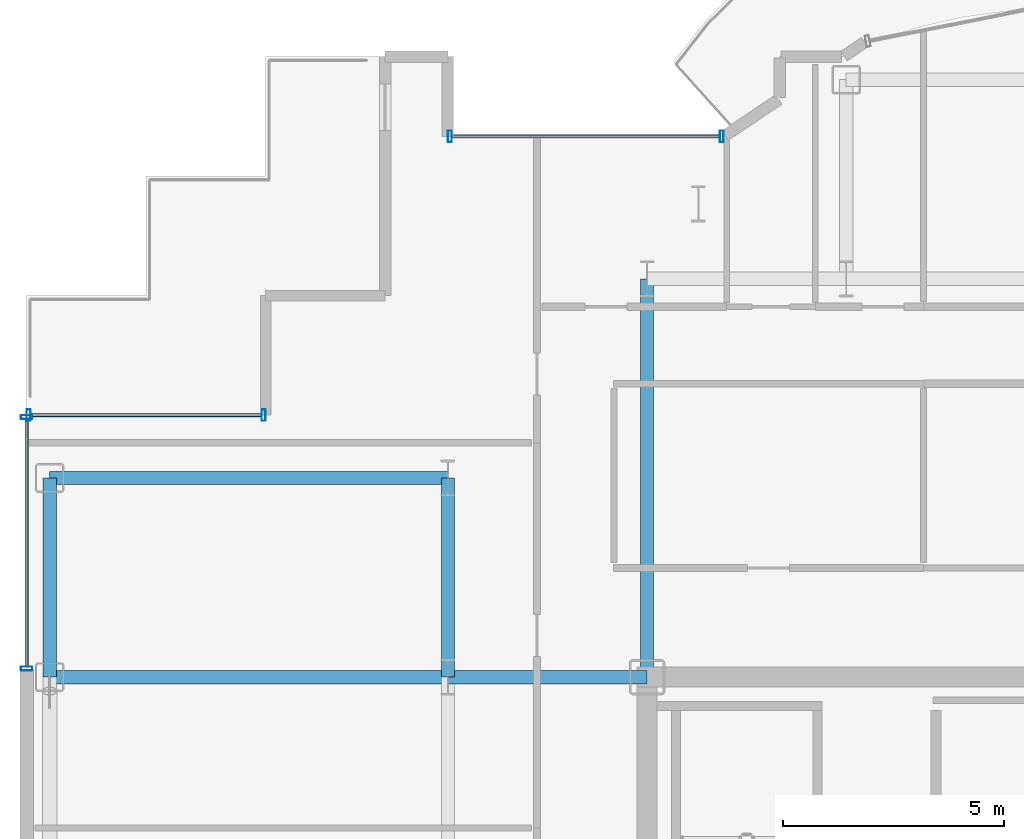
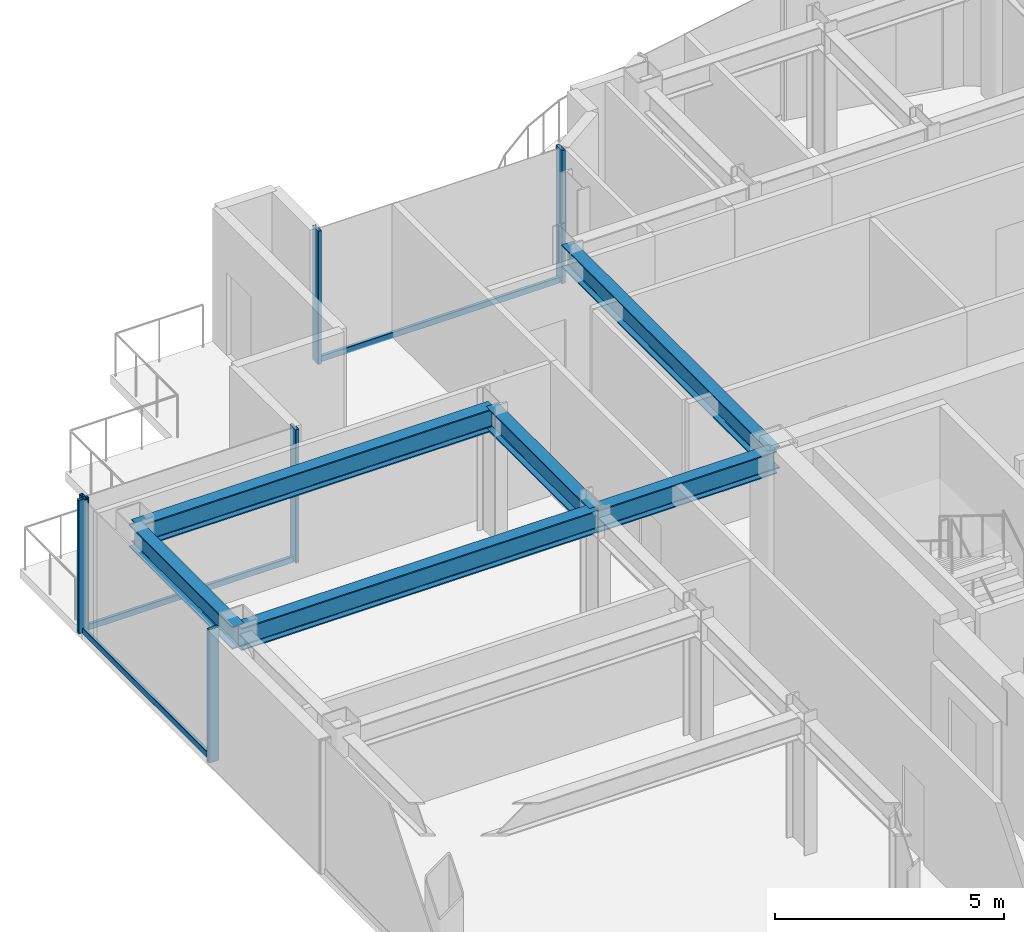
# One storey, part 9 of 22: 9 members, 6 beams, 3 elements without a shape of their own.
"""IFC4 building model written with IfcOpenShell, lengths in metres."""

from ifc_helpers import new_model, si_unit, direction, frame, origin, origin_2d, place, context, subcontext, project, spatial, hollow_rectangle, i_section, extrude, source, transform, mapped, material, layer, layer_set, material_profile, profile_set, type_object, element, aggregate, save


model = new_model("IFC4")

# Units and contexts
model_context = context("Model", 3, precision=1e-05, world=origin(), true_north=direction((0.0, 1.0)))
body_context = subcontext(model_context, "Body", "Model", "MODEL_VIEW")
ifc_project = project(units=[si_unit("LENGTHUNIT", "METRE"), si_unit("AREAUNIT", "SQUARE_METRE"), si_unit("VOLUMEUNIT", "CUBIC_METRE"), si_unit("PLANEANGLEUNIT", "RADIAN"), si_unit("MASSUNIT", "GRAM", prefix="KILO")], contexts=[model_context])

# Site, building, storey
site_placement = place(None, origin())
site = spatial("IfcSite", under=ifc_project, at=site_placement, CompositionType="ELEMENT")
building_placement = place(site_placement, origin())
building = spatial("IfcBuilding", under=site, at=building_placement, Name="Nefas-Gora Pilgrimage Tower", CompositionType="ELEMENT")
storey_placement = place(building_placement, frame((0.0, 0.0, 240.800048828125)))
storey = spatial("IfcBuildingStorey", under=building, at=storey_placement, Name="L60", CompositionType="ELEMENT", Elevation=240.800048828125)

# Beams
ifc_material_1 = material(Name="Steel S355", Category="steel")
ifc_material_profile_1 = material_profile(ifc_material_1, i_section(OverallWidth=0.300048828125, OverallDepth=0.60009765625, WebThickness=0.015380859375, FlangeThickness=0.030029296875, FilletRadius=0.027099609375, at=origin_2d()), Name="HEB 600")
ifc_profile_set_1 = profile_set([ifc_material_profile_1], Name="Steel S355")
beam_type_1 = type_object("IfcBeamType", Name="BM-SPN-HEB450", PredefinedType="SPANDREL", material=ifc_profile_set_1)
shared_shape_1 = source(origin(), body_context, "Body", "SweptSolid", [
    extrude(i_section(OverallWidth=0.300048828125, OverallDepth=0.60009765625, WebThickness=0.015380859375, FlangeThickness=0.030029296875, FilletRadius=0.027099609375, at=origin_2d()), origin(), (0.0, 0.0, 1.0), 4.5),
])
beam_placement = place(storey_placement, frame((-24.75, 9.0, 3.25), z_axis=(0.0, 1.0, 0.0), x_axis=(-1.0, 0.0, 0.0)))
element("IfcBeam", 1, at=beam_placement, inside=storey, type_object=beam_type_1, Name="L60 SP-03 beam", PredefinedType="SPANDREL", context=body_context, shape_type="MappedRepresentation", body=[
    mapped(shared_shape_1, transform((0.0, 0.0, 0.0), x_axis=(1.0, 0.0, 0.0), y_axis=(0.0, 1.0, 0.0), z_axis=(0.0, 0.0, 1.0), scale=1.0)),
])
ifc_material_profile_2 = material_profile(ifc_material_1, i_section(OverallWidth=0.300048828125, OverallDepth=0.60009765625, WebThickness=0.015380859375, FlangeThickness=0.030029296875, FilletRadius=0.027099609375, at=origin_2d()), Name="HEB 600")
ifc_profile_set_2 = profile_set([ifc_material_profile_2], Name="Steel S355")
beam_type_2 = type_object("IfcBeamType", Name="BM-GIR-HEB600", PredefinedType="BEAM", material=ifc_profile_set_2)
shared_shape_2 = source(origin(), body_context, "Body", "SweptSolid", [
    extrude(i_section(OverallWidth=0.300048828125, OverallDepth=0.60009765625, WebThickness=0.015380859375, FlangeThickness=0.030029296875, FilletRadius=0.027099609375, at=origin_2d()), origin(), (0.0, 0.0, 1.0), 9.0),
])
for number, where, z_axis, x_axis, name in (
    (2, (-24.75, 9.0, 3.25), (1.0, 0.0, 0.0), (0.0, 1.0, 0.0), "L60 G-04 beam"),
    (3, (-24.75, 13.5, 3.25), (1.0, 0.0, 0.0), (0.0, 1.0, 0.0), "L60 G-04 beam"),
    (4, (-11.25, 9.0, 3.25), (0.0, 1.0, 0.0), (-1.0, 0.0, 0.0), "L60 G-04 beam"),
):
    element("IfcBeam", number, at=place(storey_placement, frame(where, z_axis=z_axis, x_axis=x_axis)), inside=storey, type_object=beam_type_2, Name=name, PredefinedType="BEAM", context=body_context, shape_type="MappedRepresentation", body=[
        mapped(shared_shape_2, transform((0.0, 0.0, 0.0), x_axis=(1.0, 0.0, 0.0), y_axis=(0.0, 1.0, 0.0), z_axis=(0.0, 0.0, 1.0), scale=1.0)),
    ])
shared_shape_3 = source(origin(), body_context, "Body", "SweptSolid", [
    extrude(i_section(OverallWidth=0.300048828125, OverallDepth=0.60009765625, WebThickness=0.015380859375, FlangeThickness=0.030029296875, FilletRadius=0.027099609375, at=origin_2d()), origin(), (0.0, 0.0, 1.0), 4.5),
])
for number, where, z_axis, x_axis, name in (
    (5, (-15.75, 9.0, 3.25), (0.0, 1.0, 0.0), (-1.0, 0.0, 0.0), "L60 G-04 beam"),
    (6, (-15.75, 9.0, 3.25), (1.0, 0.0, 0.0), (0.0, 1.0, 0.0), "L60 G-04 beam"),
):
    element("IfcBeam", number, at=place(storey_placement, frame(where, z_axis=z_axis, x_axis=x_axis)), inside=storey, type_object=beam_type_2, Name=name, PredefinedType="BEAM", context=body_context, shape_type="MappedRepresentation", body=[
        mapped(shared_shape_3, transform((0.0, 0.0, 0.0), x_axis=(1.0, 0.0, 0.0), y_axis=(0.0, 1.0, 0.0), z_axis=(0.0, 0.0, 1.0), scale=1.0)),
    ])

# Curtain wall, members
ifc_material_2 = material(Name="Dark ceramic-fritted solar-control aluminium-glass curtain wall", Category="aluminium")
ifc_layer_1 = layer(ifc_material_2, 0.219970703125)
ifc_layer_set_1 = layer_set([ifc_layer_1], Name="Dark ceramic-fritted solar-control aluminium-glass curtain wall")
curtain_wall_type_1 = type_object("IfcCurtainWallType", Name="CW-SYS-5", PredefinedType="NOTDEFINED", material=ifc_layer_set_1)
curtain_wall_1_placement = place(storey_placement, origin())
curtain_wall_1 = element("IfcCurtainWall", 7, at=curtain_wall_1_placement, inside=storey, type_object=curtain_wall_type_1, Name="L60 Unitised Curtain Wall CW5", PredefinedType="NOTDEFINED")
ifc_material_3 = material(Name="Anodised architectural aluminium", Category="aluminium")
ifc_material_profile_3 = material_profile(ifc_material_3, hollow_rectangle(XDim=0.090087890625, YDim=0.260009765625, WallThickness=0.006103515625, InnerFilletRadius=0.006103515625, OuterFilletRadius=0.011962890625, at=origin_2d()), Name="ALU MULLION 90x260")
ifc_profile_set_3 = profile_set([ifc_material_profile_3], Name="Anodised architectural aluminium")
member_type_1 = type_object("IfcMemberType", Name="CWM-MUL-5", PredefinedType="MULLION", material=ifc_profile_set_3)
shared_shape_4 = source(origin(), body_context, "Body", "SweptSolid", [
    extrude(hollow_rectangle(XDim=0.090087890625, YDim=0.260009765625, WallThickness=0.006103515625, InnerFilletRadius=0.006103515625, OuterFilletRadius=0.011962890625, at=origin_2d()), origin(), (0.0, 0.0, 1.0), 3.550048828125),
])
member_1_placement = place(storey_placement, frame((-9.56298828125, 21.219970703125, 0.0), z_axis=(0.0, 0.0, 1.0), x_axis=(-1.0, 0.0, 0.0)))
member_1 = element("IfcMember", 8, at=member_1_placement, type_object=member_type_1, Name="CW5 Mullion 1", PredefinedType="MULLION", context=body_context, shape_type="MappedRepresentation", body=[
    mapped(shared_shape_4, transform((0.0, 0.0, 0.0), x_axis=(1.0, 0.0, 0.0), y_axis=(0.0, 1.0, 0.0), z_axis=(0.0, 0.0, 1.0), scale=1.0)),
])
member_2_placement = place(storey_placement, frame((-15.705078125, 21.219970703125, 0.0), z_axis=(0.0, 0.0, 1.0), x_axis=(-1.0, 0.0, 0.0)))
member_2 = element("IfcMember", 9, at=member_2_placement, type_object=member_type_1, Name="CW5 Mullion 2", PredefinedType="MULLION", context=body_context, shape_type="MappedRepresentation", body=[
    mapped(shared_shape_4, transform((0.0, 0.0, 0.0), x_axis=(1.0, 0.0, 0.0), y_axis=(0.0, 1.0, 0.0), z_axis=(0.0, 0.0, 1.0), scale=1.0)),
])
ifc_material_profile_4 = material_profile(ifc_material_3, hollow_rectangle(XDim=0.080078125, YDim=0.159912109375, WallThickness=0.00439453125, InnerFilletRadius=0.00439453125, OuterFilletRadius=0.009033203125, at=origin_2d()), Name="ALU TRANSOM 80x160")
ifc_profile_set_4 = profile_set([ifc_material_profile_4], Name="Anodised architectural aluminium")
member_type_2 = type_object("IfcMemberType", Name="CWM-TRN-5", PredefinedType="USERDEFINED", material=ifc_profile_set_4)
shared_shape_5 = source(origin(), body_context, "Body", "SweptSolid", [
    extrude(hollow_rectangle(XDim=0.080078125, YDim=0.159912109375, WallThickness=0.00439453125, InnerFilletRadius=0.00439453125, OuterFilletRadius=0.009033203125, at=origin_2d()), origin(), (0.0, 0.0, 1.0), 6.052001953125),
])
member_3_placement = place(storey_placement, frame((-9.60791015625, 21.219970703125, 0.050048828125), z_axis=(-1.0, 0.0, 0.0), x_axis=(0.0, -1.0, 0.0)))
member_3 = element("IfcMember", 10, at=member_3_placement, type_object=member_type_2, Name="CW5 Spandrel Transom", ObjectType="TRANSOM", PredefinedType="USERDEFINED", context=body_context, shape_type="MappedRepresentation", body=[
    mapped(shared_shape_5, transform((0.0, 0.0, 0.0), x_axis=(1.0, 0.0, 0.0), y_axis=(0.0, 1.0, 0.0), z_axis=(0.0, 0.0, 1.0), scale=1.0)),
])
aggregate(curtain_wall_1, [member_1, member_2, member_3])

ifc_layer_2 = layer(ifc_material_2, 0.219970703125)
ifc_layer_set_2 = layer_set([ifc_layer_2], Name="Dark ceramic-fritted solar-control aluminium-glass curtain wall")
curtain_wall_type_2 = type_object("IfcCurtainWallType", Name="CW-SYS-3", PredefinedType="NOTDEFINED", material=ifc_layer_set_2)
curtain_wall_2_placement = place(storey_placement, origin())
curtain_wall_2 = element("IfcCurtainWall", 11, at=curtain_wall_2_placement, inside=storey, type_object=curtain_wall_type_2, Name="L60 Unitised Curtain Wall CW3", PredefinedType="NOTDEFINED")
ifc_material_profile_5 = material_profile(ifc_material_3, hollow_rectangle(XDim=0.090087890625, YDim=0.260009765625, WallThickness=0.006103515625, InnerFilletRadius=0.006103515625, OuterFilletRadius=0.011962890625, at=origin_2d()), Name="ALU MULLION 90x260")
ifc_profile_set_5 = profile_set([ifc_material_profile_5], Name="Anodised architectural aluminium")
member_type_3 = type_object("IfcMemberType", Name="CWM-MUL-3", PredefinedType="MULLION", material=ifc_profile_set_5)
shared_shape_6 = source(origin(), body_context, "Body", "SweptSolid", [
    extrude(hollow_rectangle(XDim=0.090087890625, YDim=0.260009765625, WallThickness=0.006103515625, InnerFilletRadius=0.006103515625, OuterFilletRadius=0.011962890625, at=origin_2d()), origin(), (0.0, 0.0, 1.0), 3.550048828125),
])
member_4_placement = place(storey_placement, frame((-19.9150390625, 14.919921875, 0.0), z_axis=(0.0, 0.0, 1.0), x_axis=(-1.0, 0.0, 0.0)))
member_4 = element("IfcMember", 12, at=member_4_placement, type_object=member_type_3, Name="CW3 Mullion 1", PredefinedType="MULLION", context=body_context, shape_type="MappedRepresentation", body=[
    mapped(shared_shape_6, transform((0.0, 0.0, 0.0), x_axis=(1.0, 0.0, 0.0), y_axis=(0.0, 1.0, 0.0), z_axis=(0.0, 0.0, 1.0), scale=1.0)),
])
member_5_placement = place(storey_placement, frame((-25.22509765625, 14.919921875, 0.0), z_axis=(0.0, 0.0, 1.0), x_axis=(-1.0, 0.0, 0.0)))
member_5 = element("IfcMember", 13, at=member_5_placement, type_object=member_type_3, Name="CW3 Mullion 2", PredefinedType="MULLION", context=body_context, shape_type="MappedRepresentation", body=[
    mapped(shared_shape_6, transform((0.0, 0.0, 0.0), x_axis=(1.0, 0.0, 0.0), y_axis=(0.0, 1.0, 0.0), z_axis=(0.0, 0.0, 1.0), scale=1.0)),
])

curtain_wall_3_placement = place(storey_placement, origin())
curtain_wall_3 = element("IfcCurtainWall", 14, at=curtain_wall_3_placement, inside=storey, type_object=curtain_wall_type_2, Name="L60 Unitised Curtain Wall CW3", PredefinedType="NOTDEFINED")
member_6_placement = place(storey_placement, frame((-25.27001953125, 14.875, 0.0), z_axis=(0.0, 0.0, 1.0), x_axis=(0.0, -1.0, 0.0)))
member_6 = element("IfcMember", 15, at=member_6_placement, type_object=member_type_3, Name="CW3 Mullion 1", PredefinedType="MULLION", context=body_context, shape_type="MappedRepresentation", body=[
    mapped(shared_shape_6, transform((0.0, 0.0, 0.0), x_axis=(1.0, 0.0, 0.0), y_axis=(0.0, 1.0, 0.0), z_axis=(0.0, 0.0, 1.0), scale=1.0)),
])
member_7_placement = place(storey_placement, frame((-25.27001953125, 9.195068359375, 0.0), z_axis=(0.0, 0.0, 1.0), x_axis=(0.0, -1.0, 0.0)))
member_7 = element("IfcMember", 16, at=member_7_placement, type_object=member_type_3, Name="CW3 Mullion 2", PredefinedType="MULLION", context=body_context, shape_type="MappedRepresentation", body=[
    mapped(shared_shape_6, transform((0.0, 0.0, 0.0), x_axis=(1.0, 0.0, 0.0), y_axis=(0.0, 1.0, 0.0), z_axis=(0.0, 0.0, 1.0), scale=1.0)),
])

# Member
ifc_material_profile_6 = material_profile(ifc_material_3, hollow_rectangle(XDim=0.080078125, YDim=0.159912109375, WallThickness=0.00439453125, InnerFilletRadius=0.00439453125, OuterFilletRadius=0.009033203125, at=origin_2d()), Name="ALU TRANSOM 80x160")
ifc_profile_set_6 = profile_set([ifc_material_profile_6], Name="Anodised architectural aluminium")
member_type_4 = type_object("IfcMemberType", Name="CWM-TRN-3", PredefinedType="USERDEFINED", material=ifc_profile_set_6)
shared_shape_7 = source(origin(), body_context, "Body", "SweptSolid", [
    extrude(hollow_rectangle(XDim=0.080078125, YDim=0.159912109375, WallThickness=0.00439453125, InnerFilletRadius=0.00439453125, OuterFilletRadius=0.009033203125, at=origin_2d()), origin(), (0.0, 0.0, 1.0), 5.219970703125),
])
member_8_placement = place(storey_placement, frame((-19.9599609375, 14.919921875, 0.050048828125), z_axis=(-1.0, 0.0, 0.0), x_axis=(0.0, -1.0, 0.0)))
member_8 = element("IfcMember", 17, at=member_8_placement, type_object=member_type_4, Name="CW3 Spandrel Transom", ObjectType="TRANSOM", PredefinedType="USERDEFINED", context=body_context, shape_type="MappedRepresentation", body=[
    mapped(shared_shape_7, transform((0.0, 0.0, 0.0), x_axis=(1.0, 0.0, 0.0), y_axis=(0.0, 1.0, 0.0), z_axis=(0.0, 0.0, 1.0), scale=1.0)),
])

aggregate(curtain_wall_2, [member_4, member_5, member_8])

shared_shape_8 = source(origin(), body_context, "Body", "SweptSolid", [
    extrude(hollow_rectangle(XDim=0.080078125, YDim=0.159912109375, WallThickness=0.00439453125, InnerFilletRadius=0.00439453125, OuterFilletRadius=0.009033203125, at=origin_2d()), origin(), (0.0, 0.0, 1.0), 5.590087890625),
])
member_9_placement = place(storey_placement, frame((-25.27001953125, 14.830078125, 0.050048828125), z_axis=(0.0, -1.0, 0.0), x_axis=(1.0, 0.0, 0.0)))
member_9 = element("IfcMember", 18, at=member_9_placement, type_object=member_type_4, Name="CW3 Spandrel Transom", ObjectType="TRANSOM", PredefinedType="USERDEFINED", context=body_context, shape_type="MappedRepresentation", body=[
    mapped(shared_shape_8, transform((0.0, 0.0, 0.0), x_axis=(1.0, 0.0, 0.0), y_axis=(0.0, 1.0, 0.0), z_axis=(0.0, 0.0, 1.0), scale=1.0)),
])

aggregate(curtain_wall_3, [member_6, member_7, member_9])

save(model, "model.ifc")
